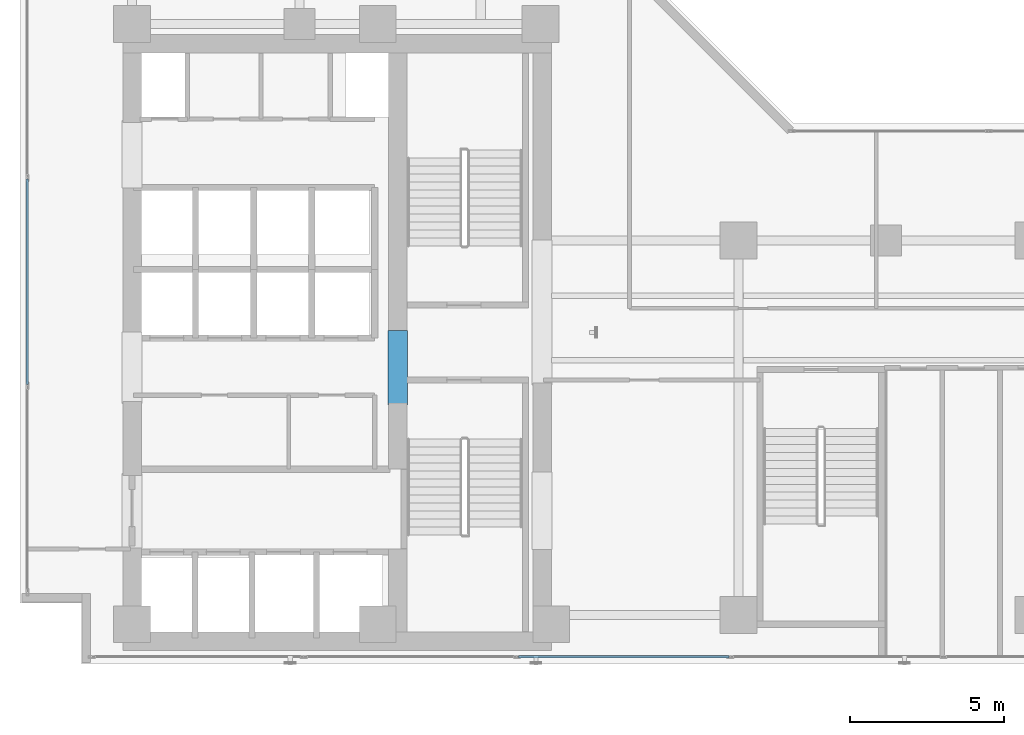
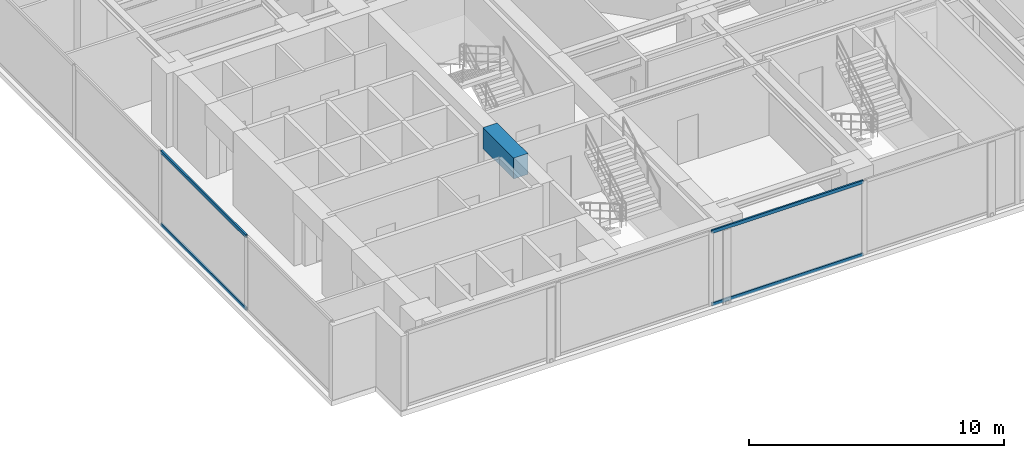
# One storey, part 3 of 26: 4 members, 1 beam, 2 elements without a shape of their own.
"""IFC4 building model written with IfcOpenShell, lengths in metres."""

import ifcopenshell
import ifcopenshell.guid

model = None  # the IFC model being written
_history = None  # IfcOwnerHistory: only IFC2X3 demands one
_inside = {}  # id of a spatial element -> (the spatial element, [elements in it])
_under = {}  # id of a project, library or spatial element -> (it, [spatial elements below it])
_declared = {}  # id of a project -> (the project, [libraries it declares])
_typed = {}  # id of a type object -> (the type object, [elements of that type])
_made_of = {}  # id of a material, layer set ... -> (it, [elements and type objects made of it])


def new_model(schema):
    """Start an empty IFC model of exactly this schema.

    Asked for "IFC4X3", IfcOpenShell would pick the latest addendum, in which some entities
    have other attributes; the version numbers below select the first issue.
    IFC2X3 requires an IfcOwnerHistory on every rooted entity: one is made here for all.
    """
    global model, _history
    if schema == "IFC4X3":
        model = ifcopenshell.file(schema_version=(4, 3, 0, 0))
    else:
        model = ifcopenshell.file(schema=schema)
    _inside.clear()
    _under.clear()
    _declared.clear()
    _typed.clear()
    _made_of.clear()
    _history = None
    if model.schema == "IFC2X3":
        org = make("IfcOrganization", Name="unknown")
        user = make(
            "IfcPersonAndOrganization",
            ThePerson=make("IfcPerson", FamilyName="unknown"),
            TheOrganization=org,
        )
        app = make(
            "IfcApplication",
            ApplicationDeveloper=org,
            Version="unknown",
            ApplicationFullName="unknown",
            ApplicationIdentifier="unknown",
        )
        _history = make(
            "IfcOwnerHistory",
            OwningUser=user,
            OwningApplication=app,
            ChangeAction="ADDED",
            CreationDate=0,
        )
    return model


def make(cls, **values):
    """One entity of the class cls with the attributes given. An attribute that is None is left unset."""
    return model.create_entity(
        cls, **{name: value for name, value in values.items() if value is not None}
    )


def rooted(cls, **values):
    """An entity with a GlobalId (a new one), such as an element, a storey or a relation."""
    return make(cls, GlobalId=ifcopenshell.guid.new(), OwnerHistory=_history, **values)


def si_unit(unit_type, name, prefix=None):
    """IfcSIUnit, for example si_unit("LENGTHUNIT", "METRE", prefix="MILLI")."""
    return make("IfcSIUnit", UnitType=unit_type, Prefix=prefix, Name=name)


def assignment(units):
    """IfcUnitAssignment: the units of a project."""
    return None if units is None else make("IfcUnitAssignment", Units=units)


def point(xyz):
    """IfcCartesianPoint."""
    return None if xyz is None else make("IfcCartesianPoint", Coordinates=xyz)


def direction(xyz):
    """IfcDirection."""
    return None if xyz is None else make("IfcDirection", DirectionRatios=xyz)


def frame(location, z_axis=None, x_axis=None):
    """IfcAxis2Placement3D, a coordinate frame: its origin and axes. An axis left out is left unset."""
    return make(
        "IfcAxis2Placement3D",
        Location=point(location),
        Axis=direction(z_axis),
        RefDirection=direction(x_axis),
    )


def frame_2d(location, x_axis=None):
    """IfcAxis2Placement2D, a coordinate frame in the plane: its origin and x axis."""
    return make(
        "IfcAxis2Placement2D", Location=point(location), RefDirection=direction(x_axis)
    )


def origin():
    """The frame at (0, 0, 0) with its axes left unset."""
    return frame((0.0, 0.0, 0.0))


def origin_with_axes():
    """The frame at (0, 0, 0) with the z axis (0, 0, 1) and the x axis (1, 0, 0) written out."""
    return frame((0.0, 0.0, 0.0), z_axis=(0.0, 0.0, 1.0), x_axis=(1.0, 0.0, 0.0))


def origin_2d():
    """The frame at (0, 0) in the plane with its x axis left unset."""
    return frame_2d((0.0, 0.0))


def place(relative_to, where):
    """IfcLocalPlacement: puts the frame where relative to a parent placement (None: the world)."""
    return make(
        "IfcLocalPlacement", PlacementRelTo=relative_to, RelativePlacement=where
    )


def context(
    kind, dimensions, precision=None, world=None, true_north=None, identifier=None
):
    """IfcGeometricRepresentationContext, for example the 3D "Model" context."""
    return make(
        "IfcGeometricRepresentationContext",
        ContextIdentifier=identifier,
        ContextType=kind,
        CoordinateSpaceDimension=dimensions,
        Precision=precision,
        WorldCoordinateSystem=world,
        TrueNorth=true_north,
    )


def subcontext(parent, identifier, kind, view, scale=None):
    """IfcGeometricRepresentationSubContext, for example "Body" below "Model"."""
    return make(
        "IfcGeometricRepresentationSubContext",
        ContextIdentifier=identifier,
        ContextType=kind,
        ParentContext=parent,
        TargetScale=scale,
        TargetView=view,
    )


def project(units=None, contexts=None):
    """IfcProject with its units and contexts."""
    return rooted(
        "IfcProject",
        Name="project",
        RepresentationContexts=contexts,
        UnitsInContext=assignment(units),
    )


def spatial(cls, under=None, at=None, **own):
    """A site, building, storey or space (cls), placed at a placement, below another one or the project."""
    s = rooted(cls, ObjectPlacement=at, **own)
    if under is not None:
        _under.setdefault(under.id(), (under, []))[1].append(s)
    return s


def profile(cls, at=None, kind="AREA", **sizes):
    """A parametric profile (cls). Its sizes go by their IFC names, for example OverallWidth=200.0."""
    return make(cls, ProfileType=kind, Position=at, **sizes)


def rectangle(**sizes):
    """IfcRectangleProfileDef."""
    return profile("IfcRectangleProfileDef", **sizes)


def hollow_rectangle(**sizes):
    """IfcRectangleHollowProfileDef."""
    return profile("IfcRectangleHollowProfileDef", **sizes)


def extrude(swept, where, along, depth):
    """IfcExtrudedAreaSolid: the profile swept, set in the frame where, extruded along a direction by depth."""
    return make(
        "IfcExtrudedAreaSolid",
        SweptArea=swept,
        Position=where,
        ExtrudedDirection=direction(along),
        Depth=depth,
    )


def shape(context_of_items, identifier, shape_type, items):
    """IfcShapeRepresentation: the items that make up one representation, for example the "Body"."""
    return make(
        "IfcShapeRepresentation",
        ContextOfItems=context_of_items,
        RepresentationIdentifier=identifier,
        RepresentationType=shape_type,
        Items=items,
    )


def source(mapping_origin, context_of_items, identifier, shape_type, items):
    """IfcRepresentationMap: a shape defined once, which mapped items show again and again."""
    return make(
        "IfcRepresentationMap",
        MappingOrigin=mapping_origin,
        MappedRepresentation=shape(context_of_items, identifier, shape_type, items),
    )


def transform(
    local_origin,
    x_axis=None,
    y_axis=None,
    z_axis=None,
    scale=None,
    scale2=None,
    scale3=None,
    uniform=True,
):
    """IfcCartesianTransformationOperator3D, or its non-uniform kind. x_axis, y_axis, z_axis: its Axis1, 2, 3."""
    if uniform:
        return make(
            "IfcCartesianTransformationOperator3D",
            Axis1=direction(x_axis),
            Axis2=direction(y_axis),
            LocalOrigin=point(local_origin),
            Scale=scale,
            Axis3=direction(z_axis),
        )
    return make(
        "IfcCartesianTransformationOperator3DnonUniform",
        Axis1=direction(x_axis),
        Axis2=direction(y_axis),
        LocalOrigin=point(local_origin),
        Scale=scale,
        Axis3=direction(z_axis),
        Scale2=scale2,
        Scale3=scale3,
    )


def mapped(mapping_source, mapping_target):
    """IfcMappedItem: shows the shape of a source again, moved by a transform."""
    return make(
        "IfcMappedItem", MappingSource=mapping_source, MappingTarget=mapping_target
    )


def material(Name=None, Category=None):
    """IfcMaterial."""
    return make("IfcMaterial", Name=Name, Category=Category)


def layer(
    of_material, thickness, ventilated=None, Name=None, Category=None, Priority=None
):
    """IfcMaterialLayer: one layer of a wall or slab, of a material (None: an air gap)."""
    return make(
        "IfcMaterialLayer",
        Material=of_material,
        LayerThickness=thickness,
        IsVentilated=ventilated,
        Name=Name,
        Category=Category,
        Priority=Priority,
    )


def layer_set(layers, Name=None):
    """IfcMaterialLayerSet."""
    return make("IfcMaterialLayerSet", MaterialLayers=layers, LayerSetName=Name)


def material_profile(
    of_material, cross_section, Name=None, Category=None, Priority=None
):
    """IfcMaterialProfile: a cross section and its material."""
    return make(
        "IfcMaterialProfile",
        Name=Name,
        Material=of_material,
        Profile=cross_section,
        Priority=Priority,
        Category=Category,
    )


def profile_set(profiles, Name=None, composite=None):
    """IfcMaterialProfileSet."""
    return make(
        "IfcMaterialProfileSet",
        Name=Name,
        MaterialProfiles=profiles,
        CompositeProfile=composite,
    )


def made_of(thing, what):
    """Note that an element or type object is made of a material, layer set ...; save() writes the relation."""
    if what is not None:
        _made_of.setdefault(what.id(), (what, []))[1].append(thing)
    return thing


def type_object(cls, material=None, **own):
    """A type object (cls), such as IfcWallType, which elements share."""
    return made_of(rooted(cls, **own), material)


def element(
    cls,
    number,
    at=None,
    inside=None,
    cuts=None,
    type_object=None,
    material=None,
    context=None,
    identifier="Body",
    shape_type=None,
    held_by="IfcProductDefinitionShape",
    body=None,
    shapes=None,
    **own,
):
    """One element of the class cls, such as IfcWall. Its Tag is "e" and its number.

    at: its placement. inside: the storey or other place that contains it. cuts: it is an
    opening in that element (IfcRelVoidsElement). A single representation is given by context,
    identifier, shape_type and body (its items); several are given by shapes. held_by: the class
    of the entity that holds the representations. save() writes the other relations.
    """
    e = rooted(cls, Tag="e%d" % number, ObjectPlacement=at, **own)
    if body is not None:
        shapes = [shape(context, identifier, shape_type, body)]
    if shapes is not None:
        e.Representation = make(held_by, Representations=shapes)
    if inside is not None:
        _inside.setdefault(inside.id(), (inside, []))[1].append(e)
    if cuts is not None:
        rooted(
            "IfcRelVoidsElement", RelatingBuildingElement=cuts, RelatedOpeningElement=e
        )
    if type_object is not None:
        _typed.setdefault(type_object.id(), (type_object, []))[1].append(e)
    return made_of(e, material)


def aggregate(whole, parts):
    """IfcRelAggregates: a whole, such as a stair, and the parts it consists of."""
    return rooted("IfcRelAggregates", RelatingObject=whole, RelatedObjects=parts)


def save(model, path):
    """Write the relations noted so far, then the file.

    IfcRelAggregates (storeys below a building ...), IfcRelContainedInSpatialStructure (elements
    in a storey), IfcRelDefinesByType, IfcRelAssociatesMaterial and IfcRelDeclares: one each for
    every whole, place, type object, material and project.
    """
    for whole, parts in _under.values():
        aggregate(whole, parts)
    for where, things in _inside.values():
        rooted(
            "IfcRelContainedInSpatialStructure",
            RelatedElements=things,
            RelatingStructure=where,
        )
    for kind, things in _typed.values():
        rooted("IfcRelDefinesByType", RelatedObjects=things, RelatingType=kind)
    for what, things in _made_of.values():
        rooted("IfcRelAssociatesMaterial", RelatedObjects=things, RelatingMaterial=what)
    for by, libraries in _declared.values():
        rooted("IfcRelDeclares", RelatingContext=by, RelatedDefinitions=libraries)
    model.write(path)


model = new_model("IFC4")

# Units and contexts
model_context = context("Model", 3, precision=1e-05, world=origin(), true_north=direction((0.0, 1.0)))
body_context = subcontext(model_context, "Body", "Model", "MODEL_VIEW")
ifc_project = project(units=[si_unit("LENGTHUNIT", "METRE"), si_unit("AREAUNIT", "SQUARE_METRE"), si_unit("VOLUMEUNIT", "CUBIC_METRE"), si_unit("PLANEANGLEUNIT", "RADIAN"), si_unit("MASSUNIT", "GRAM", prefix="KILO")], contexts=[model_context])

# Site, building, storey
site_placement = place(None, origin())
site = spatial("IfcSite", under=ifc_project, at=site_placement, CompositionType="ELEMENT")
building_placement = place(site_placement, origin())
building = spatial("IfcBuilding", under=site, at=building_placement, Name="Kolvaren Waterfront Exchange", CompositionType="ELEMENT")
storey_placement = place(building_placement, frame((0.0, 0.0, 165.199951171875)))
storey = spatial("IfcBuildingStorey", under=building, at=storey_placement, Name="L42", CompositionType="ELEMENT", Elevation=165.199951171875)

# Beam
ifc_material_1 = material(Name="Concrete C60/75", Category="concrete")
ifc_material_profile_1 = material_profile(ifc_material_1, rectangle(XDim=0.64990234375, YDim=1.0, at=origin_2d()), Name="RC-CB-1000x650")
ifc_profile_set_1 = profile_set([ifc_material_profile_1], Name="Concrete C60/75")
beam_type = type_object("IfcBeamType", Name="STR-CB-1000", PredefinedType="SPANDREL", material=ifc_profile_set_1)
beam_placement = place(storey_placement, frame((16.10009765625, 12.0400390625, 3.06005859375), z_axis=(0.0, 1.0, 0.0), x_axis=(-1.0, 0.0, 0.0)))
element("IfcBeam", 1, at=beam_placement, inside=storey, type_object=beam_type, Name="L42 core coupling beam 6", PredefinedType="SPANDREL", context=body_context, shape_type="SweptSolid", body=[
    extrude(rectangle(XDim=0.64990234375, YDim=1.0, at=origin_2d()), origin(), (0.0, 0.0, 1.0), 2.419921875),
])

# Curtain wall, members
ifc_material_2 = material(Name="Anodised bronze aluminium 6063-T6", Category="aluminium")
ifc_layer_1 = layer(ifc_material_2, 0.219970703125, Name="Anodised bronze aluminium 6063-T6")
ifc_layer_set_1 = layer_set([ifc_layer_1], Name="Anodised bronze aluminium 6063-T6")
curtain_wall_type_1 = type_object("IfcCurtainWallType", Name="ARC-CW-SYS1", PredefinedType="USERDEFINED", material=ifc_layer_set_1)
curtain_wall_1_placement = place(storey_placement, origin())
curtain_wall_1 = element("IfcCurtainWall", 2, at=curtain_wall_1_placement, inside=storey, type_object=curtain_wall_type_1, Name="L42 stick curtain wall CW1 (CW-L42-S)", ObjectType="STICK CURTAIN WALL", PredefinedType="USERDEFINED")
ifc_material_3 = material(Name="Anodised aluminium 6063-T6", Category="aluminium")
ifc_material_profile_2 = material_profile(ifc_material_3, hollow_rectangle(XDim=0.074951171875, YDim=0.159912109375, WallThickness=0.00439453125, at=origin_2d()), Name="ALU-TRN-160x75x4.5")
ifc_profile_set_2 = profile_set([ifc_material_profile_2], Name="Anodised aluminium 6063-T6")
member_type = type_object("IfcMemberType", Name="ARC-CWT-160", PredefinedType="USERDEFINED", material=ifc_profile_set_2)
shared_shape_1 = source(origin_with_axes(), body_context, "Body", "SweptSolid", [
    extrude(hollow_rectangle(XDim=0.074951171875, YDim=0.159912109375, WallThickness=0.00439453125, at=origin_2d()), origin(), (0.0, 0.0, 1.0), 6.863037109375),
])
member_1_placement = place(storey_placement, frame((20.025634765625, 3.840087890625, 0.03759765625), z_axis=(1.0, 0.0, 0.0), x_axis=(0.0, 1.0, 0.0)))
member_1 = element("IfcMember", 3, at=member_1_placement, type_object=member_type, Name="CW1 transom 3.1", ObjectType="TRANSOM", PredefinedType="USERDEFINED", context=body_context, shape_type="MappedRepresentation", body=[
    mapped(shared_shape_1, transform((0.0, 0.0, 0.0), x_axis=(1.0, 0.0, 0.0), y_axis=(0.0, 1.0, 0.0), z_axis=(0.0, 0.0, 1.0), scale=1.0)),
])
member_2_placement = place(storey_placement, frame((20.025634765625, 3.840087890625, 3.5224609375), z_axis=(1.0, 0.0, 0.0), x_axis=(0.0, 1.0, 0.0)))
member_2 = element("IfcMember", 4, at=member_2_placement, type_object=member_type, Name="CW1 transom 3.2", ObjectType="TRANSOM", PredefinedType="USERDEFINED", context=body_context, shape_type="MappedRepresentation", body=[
    mapped(shared_shape_1, transform((0.0, 0.0, 0.0), x_axis=(1.0, 0.0, 0.0), y_axis=(0.0, 1.0, 0.0), z_axis=(0.0, 0.0, 1.0), scale=1.0)),
])
aggregate(curtain_wall_1, [member_1, member_2])

ifc_layer_2 = layer(ifc_material_3, 0.219970703125, Name="Anodised aluminium 6063-T6")
ifc_layer_set_2 = layer_set([ifc_layer_2], Name="Anodised aluminium 6063-T6")
curtain_wall_type_2 = type_object("IfcCurtainWallType", Name="ARC-CW-SYS2", PredefinedType="USERDEFINED", material=ifc_layer_set_2)
curtain_wall_2_placement = place(storey_placement, origin())
curtain_wall_2 = element("IfcCurtainWall", 5, at=curtain_wall_2_placement, inside=storey, type_object=curtain_wall_type_2, Name="L42 stick curtain wall CW2 (CW-L42-W)", ObjectType="STICK CURTAIN WALL", PredefinedType="USERDEFINED")
shared_shape_2 = source(origin_with_axes(), body_context, "Body", "SweptSolid", [
    extrude(hollow_rectangle(XDim=0.074951171875, YDim=0.159912109375, WallThickness=0.00439453125, at=origin_2d()), origin(), (0.0, 0.0, 1.0), 6.6865234375),
])
member_3_placement = place(storey_placement, frame((4.0400390625, 12.706787109375, 0.03759765625), z_axis=(0.0, 1.0, 0.0), x_axis=(-1.0, 0.0, 0.0)))
member_3 = element("IfcMember", 6, at=member_3_placement, type_object=member_type, Name="CW2 transom 2.1", ObjectType="TRANSOM", PredefinedType="USERDEFINED", context=body_context, shape_type="MappedRepresentation", body=[
    mapped(shared_shape_2, transform((0.0, 0.0, 0.0), x_axis=(1.0, 0.0, 0.0), y_axis=(0.0, 1.0, 0.0), z_axis=(0.0, 0.0, 1.0), scale=1.0)),
])
member_4_placement = place(storey_placement, frame((4.0400390625, 12.706787109375, 3.5224609375), z_axis=(0.0, 1.0, 0.0), x_axis=(-1.0, 0.0, 0.0)))
member_4 = element("IfcMember", 7, at=member_4_placement, type_object=member_type, Name="CW2 transom 2.2", ObjectType="TRANSOM", PredefinedType="USERDEFINED", context=body_context, shape_type="MappedRepresentation", body=[
    mapped(shared_shape_2, transform((0.0, 0.0, 0.0), x_axis=(1.0, 0.0, 0.0), y_axis=(0.0, 1.0, 0.0), z_axis=(0.0, 0.0, 1.0), scale=1.0)),
])
aggregate(curtain_wall_2, [member_3, member_4])

save(model, "model.ifc")
